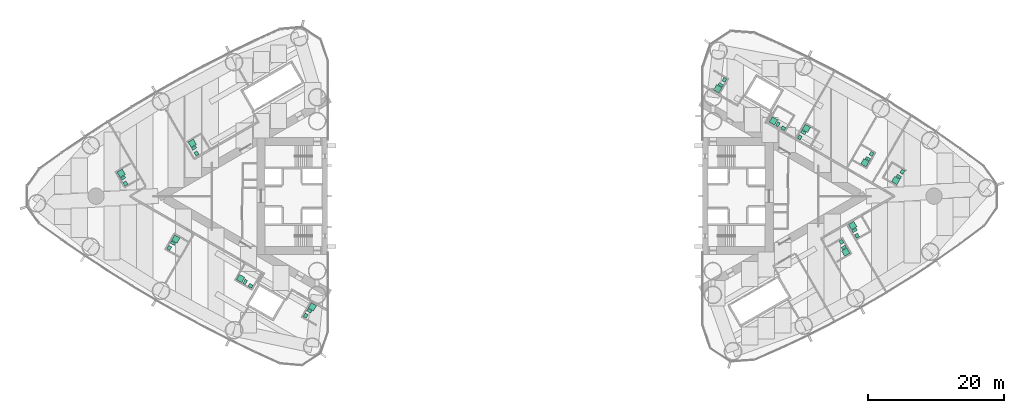
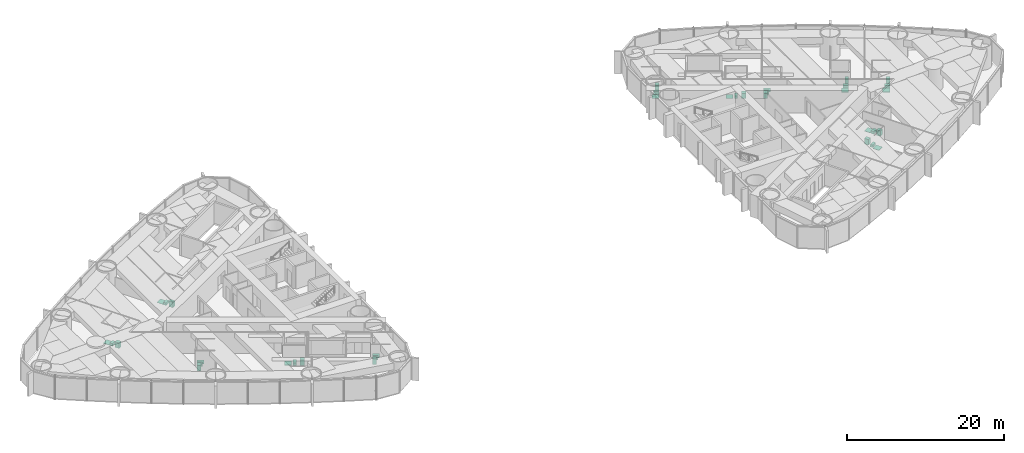
# One storey, part 18 of 18: 16 sanitary terminals.
"""IFC4 building model written with IfcOpenShell, lengths in metres."""

from ifc_helpers import new_model, si_unit, direction, frame, origin, origin_2d, place, context, subcontext, project, spatial, rectangle, extrude, material, type_object, element, save


model = new_model("IFC4")

# Units and contexts
model_context = context("Model", 3, precision=1e-05, world=origin(), true_north=direction((0.0, 1.0)))
body_context = subcontext(model_context, "Body", "Model", "MODEL_VIEW")
ifc_project = project(units=[si_unit("LENGTHUNIT", "METRE"), si_unit("AREAUNIT", "SQUARE_METRE"), si_unit("VOLUMEUNIT", "CUBIC_METRE"), si_unit("PLANEANGLEUNIT", "RADIAN"), si_unit("MASSUNIT", "GRAM", prefix="KILO")], contexts=[model_context])

# Site, building, storey
site_placement = place(None, origin())
site = spatial("IfcSite", under=ifc_project, at=site_placement, CompositionType="ELEMENT")
building_placement = place(site_placement, origin())
building = spatial("IfcBuilding", under=site, at=building_placement, Name="Lancet Gate Hotel", CompositionType="ELEMENT")
storey_placement = place(building_placement, frame((0.0, 0.0, 125.60009765625)))
storey = spatial("IfcBuildingStorey", under=building, at=storey_placement, Name="L33", CompositionType="ELEMENT", Elevation=125.60009765625)

# Sanitary terminals
ifc_material_1 = material(Name="Vitreous china sanitary ware")
sanitary_terminal_type_1 = type_object("IfcSanitaryTerminalType", Name="En-suite sanitary set (shower, WC, basin)", PredefinedType="USERDEFINED", material=ifc_material_1)
sanitary_terminal_1_placement = place(storey_placement, frame((-57.81689453125, 3.355224609375, 0.0), z_axis=(0.0, 0.0, 1.0), x_axis=(1.0, 0.0, 0.0)))
element("IfcSanitaryTerminal", 1, at=sanitary_terminal_1_placement, inside=storey, type_object=sanitary_terminal_type_1, Name="En-suite sanitary set (shower, WC, basin) 3304", ObjectType="EN-SUITE SANITARY SET", PredefinedType="USERDEFINED", context=body_context, shape_type="SweptSolid", body=[
    extrude(rectangle(XDim=0.89990234375, YDim=0.89990234375, at=origin_2d()), frame((0.0, 0.0, 0.0), z_axis=(0.0, 0.0, 1.0), x_axis=(-0.5, 0.866025403784, 0.0)), (0.0, 0.0, 1.0), 0.050048828125),
    extrude(rectangle(XDim=0.39990234375, YDim=0.699951171875, at=origin_2d()), frame((0.2783203125, -0.68212890625, 0.0), z_axis=(0.0, 0.0, 1.0), x_axis=(-0.5, 0.866025403784, 0.0)), (0.0, 0.0, 1.0), 0.39990234375),
    extrude(rectangle(XDim=0.60009765625, YDim=0.5, at=origin_2d()), frame((0.6318359375, -1.494384765625, 0.0), z_axis=(0.0, 0.0, 1.0), x_axis=(-0.5, 0.866025403784, 0.0)), (0.0, 0.0, 1.0), 0.85009765625),
])
sanitary_terminal_2_placement = place(storey_placement, frame((-49.785888671875, -6.305908203125, 0.0), z_axis=(0.0, 0.0, 1.0), x_axis=(1.0, 0.0, 0.0)))
element("IfcSanitaryTerminal", 2, at=sanitary_terminal_2_placement, inside=storey, type_object=sanitary_terminal_type_1, Name="En-suite sanitary set (shower, WC, basin) 3305", ObjectType="EN-SUITE SANITARY SET", PredefinedType="USERDEFINED", context=body_context, shape_type="SweptSolid", body=[
    extrude(rectangle(XDim=0.89990234375, YDim=0.89990234375, at=origin_2d()), frame((0.0, 0.0, 0.0), z_axis=(0.0, 0.0, 1.0), x_axis=(0.5, 0.866025403784, 0.0)), (0.0, 0.0, 1.0), 0.050048828125),
    extrude(rectangle(XDim=0.39990234375, YDim=0.699951171875, at=origin_2d()), frame((-0.45166015625, -0.582275390625, 0.0), z_axis=(0.0, 0.0, 1.0), x_axis=(0.5, 0.866025403784, 0.0)), (0.0, 0.0, 1.0), 0.39990234375),
    extrude(rectangle(XDim=0.60009765625, YDim=0.5, at=origin_2d()), frame((-0.978271484375, -1.29443359375, 0.0), z_axis=(0.0, 0.0, 1.0), x_axis=(0.5, 0.866025403784, 0.0)), (0.0, 0.0, 1.0), 0.85009765625),
])
sanitary_terminal_3_placement = place(storey_placement, frame((-47.39111328125, 7.758056640625, 0.0), z_axis=(0.0, 0.0, 1.0), x_axis=(1.0, 0.0, 0.0)))
element("IfcSanitaryTerminal", 3, at=sanitary_terminal_3_placement, inside=storey, type_object=sanitary_terminal_type_1, Name="En-suite sanitary set (shower, WC, basin) 3302", ObjectType="EN-SUITE SANITARY SET", PredefinedType="USERDEFINED", context=body_context, shape_type="SweptSolid", body=[
    extrude(rectangle(XDim=0.89990234375, YDim=0.89990234375, at=origin_2d()), frame((0.0, 0.0, 0.0), z_axis=(0.0, 0.0, 1.0), x_axis=(-0.5, 0.866025403784, 0.0)), (0.0, 0.0, 1.0), 0.050048828125),
    extrude(rectangle(XDim=0.39990234375, YDim=0.699951171875, at=origin_2d()), frame((0.2783203125, -0.682373046875, 0.0), z_axis=(0.0, 0.0, 1.0), x_axis=(-0.5, 0.866025403784, 0.0)), (0.0, 0.0, 1.0), 0.39990234375),
    extrude(rectangle(XDim=0.60009765625, YDim=0.5, at=origin_2d()), frame((0.6318359375, -1.494384765625, 0.0), z_axis=(0.0, 0.0, 1.0), x_axis=(-0.5, 0.866025403784, 0.0)), (0.0, 0.0, 1.0), 0.85009765625),
])
sanitary_terminal_4_placement = place(storey_placement, frame((-29.751708984375, -16.256103515625, 0.0), z_axis=(0.0, 0.0, 1.0), x_axis=(1.0, 0.0, 0.0)))
element("IfcSanitaryTerminal", 4, at=sanitary_terminal_4_placement, inside=storey, type_object=sanitary_terminal_type_1, Name="En-suite sanitary set (shower, WC, basin) 3308", ObjectType="EN-SUITE SANITARY SET", PredefinedType="USERDEFINED", context=body_context, shape_type="SweptSolid", body=[
    extrude(rectangle(XDim=0.89990234375, YDim=0.89990234375, at=origin_2d()), frame((0.0, 0.0, 0.0), z_axis=(0.0, 0.0, 1.0), x_axis=(0.5, 0.866025403784, 0.0)), (0.0, 0.0, 1.0), 0.050048828125),
    extrude(rectangle(XDim=0.39990234375, YDim=0.699951171875, at=origin_2d()), frame((-0.45166015625, -0.582275390625, 0.0), z_axis=(0.0, 0.0, 1.0), x_axis=(0.5, 0.866025403784, 0.0)), (0.0, 0.0, 1.0), 0.39990234375),
    extrude(rectangle(XDim=0.60009765625, YDim=0.5, at=origin_2d()), frame((-0.978271484375, -1.29443359375, 0.0), z_axis=(0.0, 0.0, 1.0), x_axis=(0.5, 0.866025403784, 0.0)), (0.0, 0.0, 1.0), 0.85009765625),
])
sanitary_terminal_5_placement = place(storey_placement, frame((48.534912109375, -8.214111328125, 0.0), z_axis=(0.0, 0.0, 1.0), x_axis=(1.0, 0.0, 0.0)))
element("IfcSanitaryTerminal", 5, at=sanitary_terminal_5_placement, inside=storey, type_object=sanitary_terminal_type_1, Name="En-suite sanitary set (shower, WC, basin) 3355", ObjectType="EN-SUITE SANITARY SET", PredefinedType="USERDEFINED", context=body_context, shape_type="SweptSolid", body=[
    extrude(rectangle(XDim=0.89990234375, YDim=0.89990234375, at=origin_2d()), frame((0.0, 0.0, 0.0), z_axis=(0.0, 0.0, 1.0), x_axis=(0.5, -0.866025403784, 0.0)), (0.0, 0.0, 1.0), 0.050048828125),
    extrude(rectangle(XDim=0.39990234375, YDim=0.699951171875, at=origin_2d()), frame((-0.2783203125, 0.68212890625, 0.0), z_axis=(0.0, 0.0, 1.0), x_axis=(0.5, -0.866025403784, 0.0)), (0.0, 0.0, 1.0), 0.39990234375),
    extrude(rectangle(XDim=0.60009765625, YDim=0.5, at=origin_2d()), frame((-0.6318359375, 1.494384765625, 0.0), z_axis=(0.0, 0.0, 1.0), x_axis=(0.5, -0.866025403784, 0.0)), (0.0, 0.0, 1.0), 0.85009765625),
])
sanitary_terminal_6_placement = place(storey_placement, frame((49.56201171875, -4.318603515625, 0.0), z_axis=(0.0, 0.0, 1.0), x_axis=(1.0, 0.0, 0.0)))
element("IfcSanitaryTerminal", 6, at=sanitary_terminal_6_placement, inside=storey, type_object=sanitary_terminal_type_1, Name="En-suite sanitary set (shower, WC, basin) 3356", ObjectType="EN-SUITE SANITARY SET", PredefinedType="USERDEFINED", context=body_context, shape_type="SweptSolid", body=[
    extrude(rectangle(XDim=0.89990234375, YDim=0.89990234375, at=origin_2d()), frame((0.0, 0.0, 0.0), z_axis=(0.0, 0.0, 1.0), x_axis=(-0.5, 0.866025403784, 0.0)), (0.0, 0.0, 1.0), 0.050048828125),
    extrude(rectangle(XDim=0.39990234375, YDim=0.699951171875, at=origin_2d()), frame((0.278564453125, -0.682373046875, 0.0), z_axis=(0.0, 0.0, 1.0), x_axis=(-0.5, 0.866025403784, 0.0)), (0.0, 0.0, 1.0), 0.39990234375),
    extrude(rectangle(XDim=0.60009765625, YDim=0.5, at=origin_2d()), frame((0.6318359375, -1.494384765625, 0.0), z_axis=(0.0, 0.0, 1.0), x_axis=(-0.5, 0.866025403784, 0.0)), (0.0, 0.0, 1.0), 0.85009765625),
])
sanitary_terminal_7_placement = place(storey_placement, frame((55.8798828125, 2.28759765625, 0.0), z_axis=(0.0, 0.0, 1.0), x_axis=(1.0, 0.0, 0.0)))
element("IfcSanitaryTerminal", 7, at=sanitary_terminal_7_placement, inside=storey, type_object=sanitary_terminal_type_1, Name="En-suite sanitary set (shower, WC, basin) 3358", ObjectType="EN-SUITE SANITARY SET", PredefinedType="USERDEFINED", context=body_context, shape_type="SweptSolid", body=[
    extrude(rectangle(XDim=0.89990234375, YDim=0.89990234375, at=origin_2d()), frame((0.0, 0.0, 0.0), z_axis=(0.0, 0.0, 1.0), x_axis=(-0.5, -0.866025403784, 0.0)), (0.0, 0.0, 1.0), 0.050048828125),
    extrude(rectangle(XDim=0.39990234375, YDim=0.699951171875, at=origin_2d()), frame((0.45166015625, 0.582275390625, 0.0), z_axis=(0.0, 0.0, 1.0), x_axis=(-0.5, -0.866025403784, 0.0)), (0.0, 0.0, 1.0), 0.39990234375),
    extrude(rectangle(XDim=0.60009765625, YDim=0.5, at=origin_2d()), frame((0.978271484375, 1.29443359375, 0.0), z_axis=(0.0, 0.0, 1.0), x_axis=(-0.5, -0.866025403784, 0.0)), (0.0, 0.0, 1.0), 0.85009765625),
])
sanitary_terminal_8_placement = place(storey_placement, frame((51.353271484375, 4.901123046875, 0.0), z_axis=(0.0, 0.0, 1.0), x_axis=(1.0, 0.0, 0.0)))
element("IfcSanitaryTerminal", 8, at=sanitary_terminal_8_placement, inside=storey, type_object=sanitary_terminal_type_1, Name="En-suite sanitary set (shower, WC, basin) 3359", ObjectType="EN-SUITE SANITARY SET", PredefinedType="USERDEFINED", context=body_context, shape_type="SweptSolid", body=[
    extrude(rectangle(XDim=0.89990234375, YDim=0.89990234375, at=origin_2d()), frame((0.0, 0.0, 0.0), z_axis=(0.0, 0.0, 1.0), x_axis=(-0.5, -0.866025403784, 0.0)), (0.0, 0.0, 1.0), 0.050048828125),
    extrude(rectangle(XDim=0.39990234375, YDim=0.699951171875, at=origin_2d()), frame((0.45166015625, 0.582275390625, 0.0), z_axis=(0.0, 0.0, 1.0), x_axis=(-0.5, -0.866025403784, 0.0)), (0.0, 0.0, 1.0), 0.39990234375),
    extrude(rectangle(XDim=0.60009765625, YDim=0.5, at=origin_2d()), frame((0.978271484375, 1.294189453125, 0.0), z_axis=(0.0, 0.0, 1.0), x_axis=(-0.5, -0.866025403784, 0.0)), (0.0, 0.0, 1.0), 0.85009765625),
])
sanitary_terminal_9_placement = place(storey_placement, frame((42.763427734375, 9.9296875, 0.0), z_axis=(0.0, 0.0, 1.0), x_axis=(1.0, 0.0, 0.0)))
element("IfcSanitaryTerminal", 9, at=sanitary_terminal_9_placement, inside=storey, type_object=sanitary_terminal_type_1, Name="En-suite sanitary set (shower, WC, basin) 3360", ObjectType="EN-SUITE SANITARY SET", PredefinedType="USERDEFINED", context=body_context, shape_type="SweptSolid", body=[
    extrude(rectangle(XDim=0.89990234375, YDim=0.89990234375, at=origin_2d()), frame((0.0, 0.0, 0.0), z_axis=(0.0, 0.0, 1.0), x_axis=(0.5, 0.866025403784, 0.0)), (0.0, 0.0, 1.0), 0.050048828125),
    extrude(rectangle(XDim=0.39990234375, YDim=0.699951171875, at=origin_2d()), frame((-0.45166015625, -0.582275390625, 0.0), z_axis=(0.0, 0.0, 1.0), x_axis=(0.5, 0.866025403784, 0.0)), (0.0, 0.0, 1.0), 0.39990234375),
    extrude(rectangle(XDim=0.60009765625, YDim=0.5, at=origin_2d()), frame((-0.978271484375, -1.294189453125, 0.0), z_axis=(0.0, 0.0, 1.0), x_axis=(0.5, 0.866025403784, 0.0)), (0.0, 0.0, 1.0), 0.85009765625),
])
sanitary_terminal_10_placement = place(storey_placement, frame((29.751708984375, 15.756103515625, 0.0), z_axis=(0.0, 0.0, 1.0), x_axis=(1.0, 0.0, 0.0)))
element("IfcSanitaryTerminal", 10, at=sanitary_terminal_10_placement, inside=storey, type_object=sanitary_terminal_type_1, Name="En-suite sanitary set (shower, WC, basin) 3364", ObjectType="EN-SUITE SANITARY SET", PredefinedType="USERDEFINED", context=body_context, shape_type="SweptSolid", body=[
    extrude(rectangle(XDim=0.89990234375, YDim=0.89990234375, at=origin_2d()), frame((0.0, 0.0, 0.0), z_axis=(0.0, 0.0, 1.0), x_axis=(-0.5, -0.866025403784, 0.0)), (0.0, 0.0, 1.0), 0.050048828125),
    extrude(rectangle(XDim=0.39990234375, YDim=0.699951171875, at=origin_2d()), frame((0.45166015625, 0.582275390625, 0.0), z_axis=(0.0, 0.0, 1.0), x_axis=(-0.5, -0.866025403784, 0.0)), (0.0, 0.0, 1.0), 0.39990234375),
    extrude(rectangle(XDim=0.60009765625, YDim=0.5, at=origin_2d()), frame((0.978271484375, 1.29443359375, 0.0), z_axis=(0.0, 0.0, 1.0), x_axis=(-0.5, -0.866025403784, 0.0)), (0.0, 0.0, 1.0), 0.85009765625),
])
ifc_material_2 = material(Name="Stone resin shower tray", Category="masonry")
sanitary_terminal_type_2 = type_object("IfcSanitaryTerminalType", Name="Shower tray 900", PredefinedType="SHOWER", material=ifc_material_2)
for number, where, z_axis, x_axis, name in (
    (11, (-40.2763671875, -12.0966796875, 0.0), (0.0, 0.0, 1.0), (-0.866025403784, 0.5, 0.0), "Shower tray 900 3307"),
    (12, (37.922607421875, 11.038818359375, 0.0), (0.0, 0.0, 1.0), (-0.866025403784, 0.5, 0.0), "Shower tray 900 3362"),
):
    element("IfcSanitaryTerminal", number, at=place(storey_placement, frame(where, z_axis=z_axis, x_axis=x_axis)), inside=storey, type_object=sanitary_terminal_type_2, Name=name, PredefinedType="SHOWER", context=body_context, shape_type="SweptSolid", body=[
        extrude(rectangle(XDim=0.89990234375, YDim=0.89990234375, at=origin_2d()), origin(), (0.0, 0.0, 1.0), 0.050048828125),
    ])
ifc_material_3 = material(Name="Vitreous china sanitary ware")
sanitary_terminal_type_3 = type_object("IfcSanitaryTerminalType", Name="Vanity basin 600", PredefinedType="WASHHANDBASIN", material=ifc_material_3)
for number, where, z_axis, x_axis, name in (
    (13, (-38.808837890625, -13.1748046875, -0.000244140625), (0.0, 0.0, 1.0), (-0.866025403784, 0.5, 0.0), "Vanity basin 600 3307"),
    (14, (39.389892578125, 9.960693359375, -0.000244140625), (0.0, 0.0, 1.0), (-0.866025403784, 0.5, 0.0), "Vanity basin 600 3362"),
):
    element("IfcSanitaryTerminal", number, at=place(storey_placement, frame(where, z_axis=z_axis, x_axis=x_axis)), inside=storey, type_object=sanitary_terminal_type_3, Name=name, PredefinedType="WASHHANDBASIN", context=body_context, shape_type="SweptSolid", body=[
        extrude(rectangle(XDim=0.60009765625, YDim=0.5, at=origin_2d()), origin(), (0.0, 0.0, 1.0), 0.85009765625),
    ])
ifc_material_4 = material(Name="Vitreous china sanitary ware")
sanitary_terminal_type_4 = type_object("IfcSanitaryTerminalType", Name="WC pan wall hung", PredefinedType="TOILETPAN", material=ifc_material_4)
for number, where, z_axis, x_axis, name in (
    (15, (-39.607421875, -12.59814453125, 0.0), (0.0, 0.0, 1.0), (-0.866025403784, 0.5, 0.0), "WC pan wall hung 3307"),
    (16, (38.59130859375, 10.537109375, 0.0), (0.0, 0.0, 1.0), (-0.866025403784, 0.5, 0.0), "WC pan wall hung 3362"),
):
    element("IfcSanitaryTerminal", number, at=place(storey_placement, frame(where, z_axis=z_axis, x_axis=x_axis)), inside=storey, type_object=sanitary_terminal_type_4, Name=name, PredefinedType="TOILETPAN", context=body_context, shape_type="SweptSolid", body=[
        extrude(rectangle(XDim=0.39990234375, YDim=0.699951171875, at=origin_2d()), origin(), (0.0, 0.0, 1.0), 0.39990234375),
    ])

save(model, "model.ifc")
